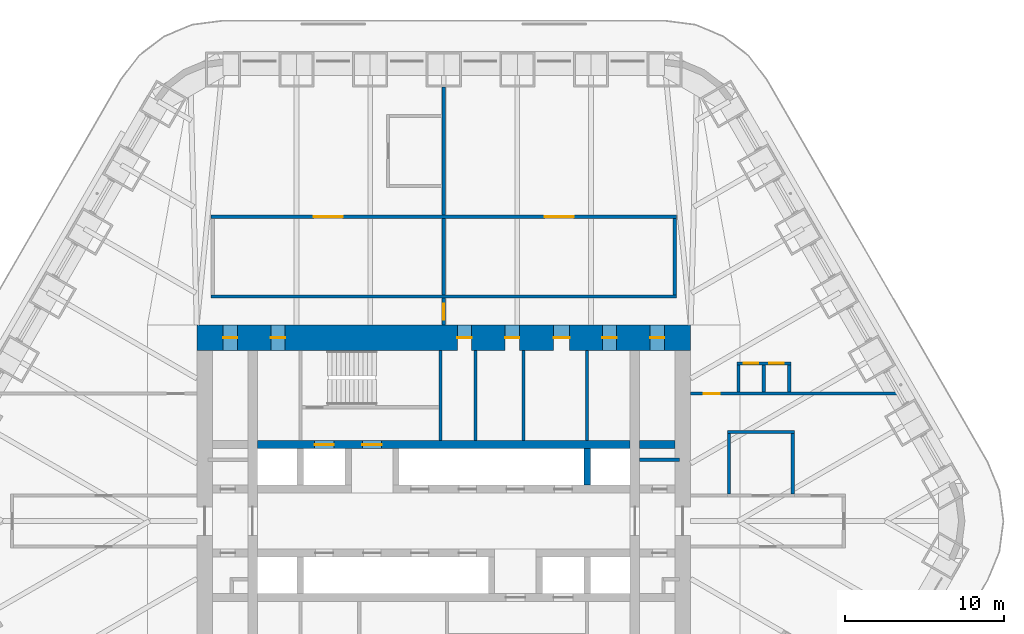
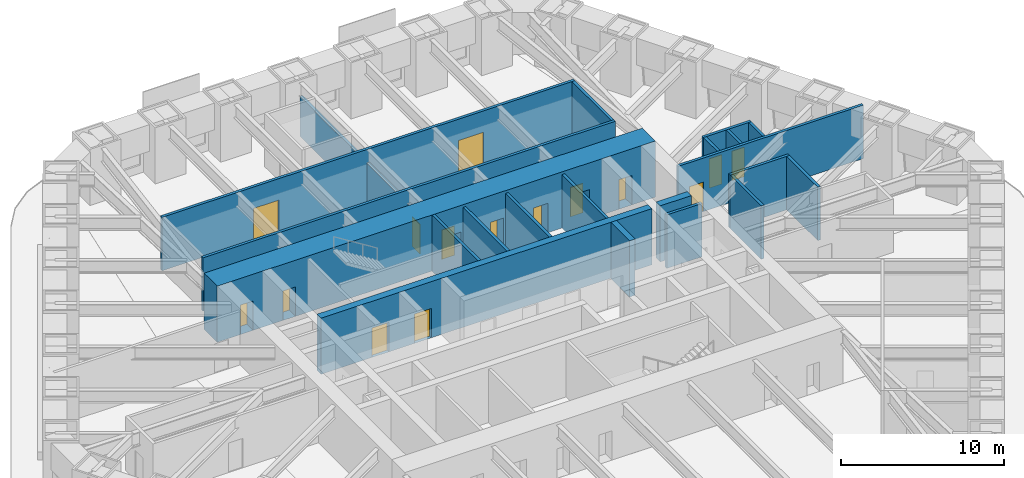
# One storey, part 17 of 20: 23 walls, 15 doors, 15 openings.
"""IFC4 building model written with IfcOpenShell, lengths in metres."""

from ifc_helpers import new_model, si_unit, direction, frame, frame_2d, origin, place, context, subcontext, project, spatial, rectangle, extrude, material, layer, layer_set, type_object, element, fill, save


model = new_model("IFC4")

# Units and contexts
model_context = context("Model", 3, precision=1e-05, world=origin(), true_north=direction((0.0, 1.0)))
body_context = subcontext(model_context, "Body", "Model", "MODEL_VIEW")
ifc_project = project(units=[si_unit("LENGTHUNIT", "METRE"), si_unit("AREAUNIT", "SQUARE_METRE"), si_unit("VOLUMEUNIT", "CUBIC_METRE"), si_unit("PLANEANGLEUNIT", "RADIAN"), si_unit("MASSUNIT", "GRAM", prefix="KILO")], contexts=[model_context])

# Site, building, storey
site_placement = place(None, origin())
site = spatial("IfcSite", under=ifc_project, at=site_placement, CompositionType="ELEMENT")
building_placement = place(site_placement, origin())
building = spatial("IfcBuilding", under=site, at=building_placement, Name="Tarfa Lantern Tower", CompositionType="ELEMENT")
storey_placement = place(building_placement, frame((0.0, 0.0, 215.5)))
storey = spatial("IfcBuildingStorey", under=building, at=storey_placement, Name="L48", CompositionType="ELEMENT", Elevation=215.5)

# Walls
ifc_material_1 = material(Name="Concrete blockwork", Category="masonry")
ifc_layer_1 = layer(ifc_material_1, 0.199951171875)
ifc_layer_set_1 = layer_set([ifc_layer_1], Name="IW1 BLOCKWORK PARTITION 200 EI 120")
wall_type_1 = type_object("IfcWallType", Name="IW1 BLOCKWORK PARTITION 200 EI 120", PredefinedType="PARTITIONING", material=ifc_layer_set_1)
for number, where, z_axis, x_axis, name in (
    (1, (9.0, 5.050048828125, 0.0), (0.0, 0.0, 1.0), (0.0, 1.0, 0.0), "Core partition"),
    (2, (2.0, 5.050048828125, 0.0), (0.0, 0.0, 1.0), (0.0, 1.0, 0.0), "Core partition"),
    (3, (5.0, 5.050048828125, 0.0), (0.0, 0.0, 1.0), (0.0, 1.0, 0.0), "Core partition"),
):
    element("IfcWall", number, at=place(storey_placement, frame(where, z_axis=z_axis, x_axis=x_axis)), inside=storey, type_object=wall_type_1, Name=name, PredefinedType="PARTITIONING", context=body_context, shape_type="SweptSolid", body=[
        extrude(rectangle(XDim=5.64990234375, YDim=0.199951171875, at=frame_2d((2.824951171875, 0.0))), origin(), (0.0, 0.0, 1.0), 4.0),
    ])
wall_1_placement = place(storey_placement, frame((12.300048828125, 3.85009765625, 0.0), z_axis=(0.0, 0.0, 1.0), x_axis=(1.0, 0.0, 0.0)))
element("IfcWall", 4, at=wall_1_placement, inside=storey, type_object=wall_type_1, Name="Core partition", PredefinedType="PARTITIONING", context=body_context, shape_type="SweptSolid", body=[
    extrude(rectangle(XDim=2.5, YDim=0.199951171875, at=frame_2d((1.25, 0.0))), origin(), (0.0, 0.0, 1.0), 4.0),
])
ifc_material_2 = material(Name="Gypsum board on steel studs", Category="steel")
ifc_layer_2 = layer(ifc_material_2, 0.2099609375)
ifc_layer_set_2 = layer_set([ifc_layer_2], Name="IW2 ACOUSTIC PARTITION 200")
wall_type_2 = type_object("IfcWallType", Name="IW2 ACOUSTIC PARTITION 200", PredefinedType="PARTITIONING", material=ifc_layer_set_2)
wall_2_placement = place(storey_placement, frame((-14.60009765625, 14.10009765625, 0.0), z_axis=(0.0, 0.0, 1.0), x_axis=(1.0, 0.0, 0.0)))
element("IfcWall", 5, at=wall_2_placement, inside=storey, type_object=wall_type_2, Name="Partition", PredefinedType="PARTITIONING", context=body_context, shape_type="SweptSolid", body=[
    extrude(rectangle(XDim=29.2001953125, YDim=0.199951171875, at=frame_2d((14.60009765625, 0.0))), origin(), (0.0, 0.0, 1.0), 4.0),
])

# Wall, openings, doors
wall_3_placement = place(storey_placement, frame((-14.60009765625, 19.10009765625, 0.0), z_axis=(0.0, 0.0, 1.0), x_axis=(1.0, 0.0, 0.0)))
wall_3 = element("IfcWall", 6, at=wall_3_placement, inside=storey, type_object=wall_type_2, Name="Partition", PredefinedType="PARTITIONING", context=body_context, shape_type="SweptSolid", body=[
    extrude(rectangle(XDim=29.2001953125, YDim=0.199951171875, at=frame_2d((14.60009765625, 0.0))), origin(), (0.0, 0.0, 1.0), 4.0),
])
opening_1_placement = place(wall_3_placement, frame((6.449951171875, 0.0, 0.0)))
opening_1 = element("IfcOpeningElement", 7, at=opening_1_placement, cuts=wall_3, Name="Opening D33", PredefinedType="OPENING", context=body_context, shape_type="SweptSolid", body=[
    extrude(rectangle(XDim=1.800048828125, YDim=2.39990234375, at=frame_2d((0.89990234375, 1.199951171875))), frame((0.0, 0.10986328125, 0.0), z_axis=(0.0, -1.0, 0.0), x_axis=(1.0, 0.0, 0.0)), (0.0, 0.0, 1.0), 0.219970703125),
])
opening_2_placement = place(wall_3_placement, frame((20.949951171875, 0.0, 0.0)))
opening_2 = element("IfcOpeningElement", 8, at=opening_2_placement, cuts=wall_3, Name="Opening D34", PredefinedType="OPENING", context=body_context, shape_type="SweptSolid", body=[
    extrude(rectangle(XDim=1.800048828125, YDim=2.39990234375, at=frame_2d((0.89990234375, 1.199951171875))), frame((0.0, 0.10986328125, 0.0), z_axis=(0.0, -1.0, 0.0), x_axis=(1.0, 0.0, 0.0)), (0.0, 0.0, 1.0), 0.219970703125),
])
ifc_material_3 = material(Name="Timber door", Category="wood")
door_type_1 = type_object("IfcDoorType", Name="DR2 ROOM DOOR 1800x2400", OperationType="DOUBLE_DOOR_SINGLE_SWING", PredefinedType="DOOR", material=ifc_material_3)
door_1_placement = place(opening_1_placement, frame((1.800048828125, 0.0, 0.0), z_axis=(0.0, 0.0, 1.0), x_axis=(-1.0, 0.0, 0.0)))
door_1 = element("IfcDoor", 9, at=door_1_placement, inside=storey, type_object=door_type_1, Name="Client briefing room door", OperationType="DOUBLE_DOOR_SINGLE_SWING", OverallHeight=2.39990234375, OverallWidth=1.800048828125, PredefinedType="DOOR", context=body_context, shape_type="SweptSolid", body=[
    extrude(rectangle(XDim=1.800048828125, YDim=2.39990234375, at=frame_2d((0.89990234375, 1.199951171875))), frame((0.0, 0.02490234375, 0.0), z_axis=(0.0, -1.0, 0.0), x_axis=(1.0, 0.0, 0.0)), (0.0, 0.0, 1.0), 0.050048828125),
])
fill(opening_1, door_1)
door_2_placement = place(opening_2_placement, frame((1.800048828125, 0.0, 0.0), z_axis=(0.0, 0.0, 1.0), x_axis=(-1.0, 0.0, 0.0)))
door_2 = element("IfcDoor", 10, at=door_2_placement, inside=storey, type_object=door_type_1, Name="Client briefing room door", OperationType="DOUBLE_DOOR_SINGLE_SWING", OverallHeight=2.39990234375, OverallWidth=1.800048828125, PredefinedType="DOOR", context=body_context, shape_type="SweptSolid", body=[
    extrude(rectangle(XDim=1.800048828125, YDim=2.39990234375, at=frame_2d((0.89990234375, 1.199951171875))), frame((0.0, 0.02490234375, 0.0), z_axis=(0.0, -1.0, 0.0), x_axis=(1.0, 0.0, 0.0)), (0.0, 0.0, 1.0), 0.050048828125),
])
fill(opening_2, door_2)

# Walls
wall_4_placement = place(storey_placement, frame((0.0, 14.199951171875, 0.0), z_axis=(0.0, 0.0, 1.0), x_axis=(0.0, 1.0, 0.0)))
element("IfcWall", 11, at=wall_4_placement, inside=storey, type_object=wall_type_2, Name="Partition", PredefinedType="PARTITIONING", context=body_context, shape_type="SweptSolid", body=[
    extrude(rectangle(XDim=4.800048828125, YDim=0.199951171875, at=frame_2d((2.39990234375, 0.0))), origin(), (0.0, 0.0, 1.0), 2.991943359375),
])
wall_5_placement = place(storey_placement, frame((14.5, 14.199951171875, 0.0), z_axis=(0.0, 0.0, 1.0), x_axis=(0.0, 1.0, 0.0)))
element("IfcWall", 12, at=wall_5_placement, inside=storey, type_object=wall_type_2, Name="Partition", PredefinedType="PARTITIONING", context=body_context, shape_type="SweptSolid", body=[
    extrude(rectangle(XDim=4.800048828125, YDim=0.199951171875, at=frame_2d((2.39990234375, 0.0))), origin(), (0.0, 0.0, 1.0), 4.0),
])
wall_6_placement = place(storey_placement, frame((17.800048828125, 5.60009765625, 0.0), z_axis=(0.0, 0.0, 1.0), x_axis=(1.0, 0.0, 0.0)))
element("IfcWall", 13, at=wall_6_placement, inside=storey, type_object=wall_type_2, Name="Partition", PredefinedType="PARTITIONING", context=body_context, shape_type="SweptSolid", body=[
    extrude(rectangle(XDim=4.199951171875, YDim=0.199951171875, at=frame_2d((2.10009765625, 0.0))), origin(), (0.0, 0.0, 1.0), 4.0),
])
for number, where, z_axis, x_axis, name in (
    (14, (17.89990234375, 1.699951171875, 0.0), (0.0, 0.0, 1.0), (0.0, 1.0, 0.0), "Partition"),
    (15, (21.89990234375, 1.699951171875, 0.0), (0.0, 0.0, 1.0), (0.0, 1.0, 0.0), "Partition"),
):
    element("IfcWall", number, at=place(storey_placement, frame(where, z_axis=z_axis, x_axis=x_axis)), inside=storey, type_object=wall_type_2, Name=name, PredefinedType="PARTITIONING", context=body_context, shape_type="SweptSolid", body=[
        extrude(rectangle(XDim=3.800048828125, YDim=0.199951171875, at=frame_2d((1.89990234375, 0.0))), origin(), (0.0, 0.0, 1.0), 4.0),
    ])

# Wall, opening, door
wall_7_placement = place(storey_placement, frame((0.0, 12.300048828125, 0.0), z_axis=(0.0, 0.0, 1.0), x_axis=(0.0, 1.0, 0.0)))
wall_7 = element("IfcWall", 16, at=wall_7_placement, inside=storey, type_object=wall_type_2, Name="Partition", PredefinedType="PARTITIONING", context=body_context, shape_type="SweptSolid", body=[
    extrude(rectangle(XDim=1.699951171875, YDim=0.199951171875, at=frame_2d((0.85009765625, 0.0))), origin(), (0.0, 0.0, 1.0), 2.991943359375),
])
opening_3_placement = place(wall_7_placement, frame((0.35009765625, 0.0, 0.0)))
opening_3 = element("IfcOpeningElement", 17, at=opening_3_placement, cuts=wall_7, Name="Opening D45", PredefinedType="OPENING", context=body_context, shape_type="SweptSolid", body=[
    extrude(rectangle(XDim=1.0, YDim=2.199951171875, at=frame_2d((0.5, 1.10009765625))), frame((0.0, 0.10986328125, 0.0), z_axis=(0.0, -1.0, 0.0), x_axis=(1.0, 0.0, 0.0)), (0.0, 0.0, 1.0), 0.219970703125),
])
door_type_2 = type_object("IfcDoorType", Name="DR1 ROOM DOOR 1000x2200", OperationType="SINGLE_SWING_LEFT", PredefinedType="DOOR", material=ifc_material_3)
door_3_placement = place(opening_3_placement, origin())
door_3 = element("IfcDoor", 18, at=door_3_placement, inside=storey, type_object=door_type_2, Name="Zone door", OperationType="SINGLE_SWING_LEFT", OverallHeight=2.199951171875, OverallWidth=1.0, PredefinedType="DOOR", context=body_context, shape_type="SweptSolid", body=[
    extrude(rectangle(XDim=1.0, YDim=2.199951171875, at=frame_2d((0.5, 1.10009765625))), frame((0.0, 0.02490234375, 0.0), z_axis=(0.0, -1.0, 0.0), x_axis=(1.0, 0.0, 0.0)), (0.0, 0.0, 1.0), 0.050048828125),
])
fill(opening_3, door_3)

# Wall
wall_8_placement = place(storey_placement, frame((0.0, 19.199951171875, 0.0), z_axis=(0.0, 0.0, 1.0), x_axis=(0.0, 1.0, 0.0)))
element("IfcWall", 19, at=wall_8_placement, inside=storey, type_object=wall_type_2, Name="Partition", PredefinedType="PARTITIONING", context=body_context, shape_type="SweptSolid", body=[
    extrude(rectangle(XDim=8.050048828125, YDim=0.199951171875, at=frame_2d((4.02490234375, 0.0))), origin(), (0.0, 0.0, 1.0), 2.991943359375),
])

# Wall, opening, door
wall_9_placement = place(storey_placement, frame((15.5, 8.0, 0.0), z_axis=(0.0, 0.0, 1.0), x_axis=(1.0, 0.0, 0.0)))
wall_9 = element("IfcWall", 20, at=wall_9_placement, inside=storey, type_object=wall_type_2, Name="Partition", PredefinedType="PARTITIONING", context=body_context, shape_type="SweptSolid", body=[
    extrude(rectangle(XDim=13.11328125, YDim=0.199951171875, at=frame_2d((6.556640625, 0.0))), origin(), (0.0, 0.0, 1.0), 4.0),
])
opening_4_placement = place(wall_9_placement, frame((0.811279296875, 0.0, 0.0)))
opening_4 = element("IfcOpeningElement", 21, at=opening_4_placement, cuts=wall_9, Name="Opening D44", PredefinedType="OPENING", context=body_context, shape_type="SweptSolid", body=[
    extrude(rectangle(XDim=1.0, YDim=2.199951171875, at=frame_2d((0.5, 1.10009765625))), frame((0.0, 0.10986328125, 0.0), z_axis=(0.0, -1.0, 0.0), x_axis=(1.0, 0.0, 0.0)), (0.0, 0.0, 1.0), 0.219970703125),
])
door_4_placement = place(opening_4_placement, origin())
door_4 = element("IfcDoor", 22, at=door_4_placement, inside=storey, type_object=door_type_2, Name="Zone door", OperationType="SINGLE_SWING_RIGHT", OverallHeight=2.199951171875, OverallWidth=1.0, PredefinedType="DOOR", context=body_context, shape_type="SweptSolid", body=[
    extrude(rectangle(XDim=1.0, YDim=2.199951171875, at=frame_2d((0.5, 1.10009765625))), frame((0.0, 0.02490234375, 0.0), z_axis=(0.0, -1.0, 0.0), x_axis=(1.0, 0.0, 0.0)), (0.0, 0.0, 1.0), 0.050048828125),
])
fill(opening_4, door_4)

# Wall, openings, doors
wall_10_placement = place(storey_placement, frame((18.3896484375, 9.89990234375, 0.0), z_axis=(0.0, 0.0, 1.0), x_axis=(1.0, 0.0, 0.0)))
wall_10 = element("IfcWall", 23, at=wall_10_placement, inside=storey, type_object=wall_type_2, Name="Partition", PredefinedType="PARTITIONING", context=body_context, shape_type="SweptSolid", body=[
    extrude(rectangle(XDim=3.400146484375, YDim=0.199951171875, at=frame_2d((1.7001953125, 0.0))), origin(), (0.0, 0.0, 1.0), 4.0),
])
opening_5_placement = place(wall_10_placement, frame((0.449951171875, 0.0, 0.0)))
opening_5 = element("IfcOpeningElement", 24, at=opening_5_placement, cuts=wall_10, Name="Opening D36", PredefinedType="OPENING", context=body_context, shape_type="SweptSolid", body=[
    extrude(rectangle(XDim=0.89990234375, YDim=2.199951171875, at=frame_2d((0.449951171875, 1.10009765625))), frame((0.0, 0.10986328125, 0.0), z_axis=(0.0, -1.0, 0.0), x_axis=(1.0, 0.0, 0.0)), (0.0, 0.0, 1.0), 0.219970703125),
])
opening_6_placement = place(wall_10_placement, frame((2.050048828125, 0.0, 0.0)))
opening_6 = element("IfcOpeningElement", 25, at=opening_6_placement, cuts=wall_10, Name="Opening D37", PredefinedType="OPENING", context=body_context, shape_type="SweptSolid", body=[
    extrude(rectangle(XDim=0.89990234375, YDim=2.199951171875, at=frame_2d((0.449951171875, 1.10009765625))), frame((0.0, 0.10986328125, 0.0), z_axis=(0.0, -1.0, 0.0), x_axis=(1.0, 0.0, 0.0)), (0.0, 0.0, 1.0), 0.219970703125),
])
door_type_3 = type_object("IfcDoorType", Name="DR3 ROOM DOOR 900x2200", OperationType="SINGLE_SWING_LEFT", PredefinedType="DOOR", material=ifc_material_3)
door_5_placement = place(opening_5_placement, frame((0.89990234375, 0.0, 0.0), z_axis=(0.0, 0.0, 1.0), x_axis=(-1.0, 0.0, 0.0)))
door_5 = element("IfcDoor", 26, at=door_5_placement, inside=storey, type_object=door_type_3, Name="Phone booth door", OperationType="SINGLE_SWING_LEFT", OverallHeight=2.199951171875, OverallWidth=0.89990234375, PredefinedType="DOOR", context=body_context, shape_type="SweptSolid", body=[
    extrude(rectangle(XDim=0.89990234375, YDim=2.199951171875, at=frame_2d((0.449951171875, 1.10009765625))), frame((0.0, 0.02490234375, 0.0), z_axis=(0.0, -1.0, 0.0), x_axis=(1.0, 0.0, 0.0)), (0.0, 0.0, 1.0), 0.050048828125),
])
fill(opening_5, door_5)
door_6_placement = place(opening_6_placement, frame((0.89990234375, 0.0, 0.0), z_axis=(0.0, 0.0, 1.0), x_axis=(-1.0, 0.0, 0.0)))
door_6 = element("IfcDoor", 27, at=door_6_placement, inside=storey, type_object=door_type_3, Name="Phone booth door", OperationType="SINGLE_SWING_RIGHT", OverallHeight=2.199951171875, OverallWidth=0.89990234375, PredefinedType="DOOR", context=body_context, shape_type="SweptSolid", body=[
    extrude(rectangle(XDim=0.89990234375, YDim=2.199951171875, at=frame_2d((0.449951171875, 1.10009765625))), frame((0.0, 0.02490234375, 0.0), z_axis=(0.0, -1.0, 0.0), x_axis=(1.0, 0.0, 0.0)), (0.0, 0.0, 1.0), 0.050048828125),
])
fill(opening_6, door_6)

# Walls
for number, where, z_axis, x_axis, name in (
    (28, (18.48974609375, 8.10009765625, 0.0), (0.0, 0.0, 1.0), (0.0, 1.0, 0.0), "Partition"),
    (29, (20.089599609375, 8.10009765625, 0.0), (0.0, 0.0, 1.0), (0.0, 1.0, 0.0), "Partition"),
    (30, (21.689697265625, 8.10009765625, 0.0), (0.0, 0.0, 1.0), (0.0, 1.0, 0.0), "Partition"),
):
    element("IfcWall", number, at=place(storey_placement, frame(where, z_axis=z_axis, x_axis=x_axis)), inside=storey, type_object=wall_type_2, Name=name, PredefinedType="PARTITIONING", context=body_context, shape_type="SweptSolid", body=[
        extrude(rectangle(XDim=1.699951171875, YDim=0.199951171875, at=frame_2d((0.85009765625, 0.0))), origin(), (0.0, 0.0, 1.0), 4.0),
    ])
ifc_material_4 = material(Name="Concrete C80/95", Category="concrete")
ifc_layer_3 = layer(ifc_material_4, 0.199951171875)
ifc_layer_set_3 = layer_set([ifc_layer_3], Name="SW12 CORE WALL 200")
wall_type_3 = type_object("IfcWallType", Name="SW12 CORE WALL 200", PredefinedType="SHEAR", material=ifc_layer_set_3)
wall_11_placement = place(storey_placement, frame((-0.199951171875, 5.050048828125, 0.0), z_axis=(0.0, 0.0, 1.0), x_axis=(0.0, 1.0, 0.0)))
element("IfcWall", 31, at=wall_11_placement, inside=storey, type_object=wall_type_3, Name="Core wall stair shaft N", PredefinedType="SHEAR", context=body_context, shape_type="SweptSolid", body=[
    extrude(rectangle(XDim=5.64990234375, YDim=0.199951171875, at=frame_2d((2.824951171875, 0.0))), origin(), (0.0, 0.0, 1.0), 4.199951171875),
])

# Wall, openings, doors
ifc_layer_4 = layer(ifc_material_4, 0.5)
ifc_layer_set_4 = layer_set([ifc_layer_4], Name="SW5 CORE WALL 500")
wall_type_4 = type_object("IfcWallType", Name="SW5 CORE WALL 500", PredefinedType="SHEAR", material=ifc_layer_set_4)
wall_12_placement = place(storey_placement, frame((-11.699951171875, 4.800048828125, 0.0), z_axis=(0.0, 0.0, 1.0), x_axis=(1.0, 0.0, 0.0)))
wall_12 = element("IfcWall", 32, at=wall_12_placement, inside=storey, type_object=wall_type_4, Name="Core wall rear N", PredefinedType="SHEAR", context=body_context, shape_type="SweptSolid", body=[
    extrude(rectangle(XDim=23.39990234375, YDim=0.5, at=frame_2d((11.699951171875, 0.0))), origin(), (0.0, 0.0, 1.0), 4.199951171875),
])
opening_7_placement = place(wall_12_placement, frame((6.60009765625, 0.0, 0.0)))
opening_7 = element("IfcOpeningElement", 33, at=opening_7_placement, cuts=wall_12, Name="Opening D09", PredefinedType="OPENING", context=body_context, shape_type="SweptSolid", body=[
    extrude(rectangle(XDim=1.199951171875, YDim=2.199951171875, at=frame_2d((0.60009765625, 1.10009765625))), frame((0.0, 0.260009765625, 0.0), z_axis=(0.0, -1.0, 0.0), x_axis=(1.0, 0.0, 0.0)), (0.0, 0.0, 1.0), 0.52001953125),
])
opening_8_placement = place(wall_12_placement, frame((3.60009765625, 0.0, 0.0)))
opening_8 = element("IfcOpeningElement", 34, at=opening_8_placement, cuts=wall_12, Name="Opening LD01", PredefinedType="OPENING", context=body_context, shape_type="SweptSolid", body=[
    extrude(rectangle(XDim=1.199951171875, YDim=2.199951171875, at=frame_2d((0.60009765625, 1.10009765625))), frame((0.0, 0.260009765625, 0.0), z_axis=(0.0, -1.0, 0.0), x_axis=(1.0, 0.0, 0.0)), (0.0, 0.0, 1.0), 0.52001953125),
])
ifc_material_5 = material(Name="Steel fire door", Category="steel")
door_type_4 = type_object("IfcDoorType", Name="DF1 FIREFIGHTING LOBBY DOOR 1200x2200", OperationType="SINGLE_SWING_LEFT", PredefinedType="DOOR", material=ifc_material_5)
door_7_placement = place(opening_7_placement, origin())
door_7 = element("IfcDoor", 35, at=door_7_placement, inside=storey, type_object=door_type_4, Name="Firefighting lobby door", OperationType="SINGLE_SWING_LEFT", OverallHeight=2.199951171875, OverallWidth=1.199951171875, PredefinedType="DOOR", context=body_context, shape_type="SweptSolid", body=[
    extrude(rectangle(XDim=1.199951171875, YDim=2.199951171875, at=frame_2d((0.60009765625, 1.10009765625))), frame((0.0, 0.02490234375, 0.0), z_axis=(0.0, -1.0, 0.0), x_axis=(1.0, 0.0, 0.0)), (0.0, 0.0, 1.0), 0.050048828125),
])
fill(opening_7, door_7)
ifc_material_6 = material(Name="Stainless steel lift door", Category="steel")
door_type_5 = type_object("IfcDoorType", Name="LD1 LIFT LANDING DOOR 1200x2200", OperationType="SLIDING_TO_LEFT", PredefinedType="DOOR", material=ifc_material_6)
door_8_placement = place(opening_8_placement, origin())
door_8 = element("IfcDoor", 36, at=door_8_placement, inside=storey, type_object=door_type_5, Name="Landing door FL1", OperationType="SLIDING_TO_LEFT", OverallHeight=2.199951171875, OverallWidth=1.199951171875, PredefinedType="DOOR", context=body_context, shape_type="SweptSolid", body=[
    extrude(rectangle(XDim=1.199951171875, YDim=2.199951171875, at=frame_2d((0.60009765625, 1.10009765625))), frame((0.0, 0.02490234375, 0.0), z_axis=(0.0, -1.0, 0.0), x_axis=(1.0, 0.0, 0.0)), (0.0, 0.0, 1.0), 0.050048828125),
])
fill(opening_8, door_8)

# Walls
wall_13_placement = place(storey_placement, frame((12.300048828125, 4.800048828125, 0.0), z_axis=(0.0, 0.0, 1.0), x_axis=(1.0, 0.0, 0.0)))
element("IfcWall", 37, at=wall_13_placement, inside=storey, type_object=wall_type_4, Name="Core wall rear N", PredefinedType="SHEAR", context=body_context, shape_type="SweptSolid", body=[
    extrude(rectangle(XDim=2.199951171875, YDim=0.5, at=frame_2d((1.10009765625, 0.0))), origin(), (0.0, 0.0, 1.0), 4.199951171875),
])
ifc_layer_5 = layer(ifc_material_4, 0.39990234375)
ifc_layer_set_5 = layer_set([ifc_layer_5], Name="SW6 CORE WALL 400")
wall_type_5 = type_object("IfcWallType", Name="SW6 CORE WALL 400", PredefinedType="SHEAR", material=ifc_layer_set_5)
wall_14_placement = place(storey_placement, frame((9.0, 2.25, 0.0), z_axis=(0.0, 0.0, 1.0), x_axis=(0.0, 1.0, 0.0)))
element("IfcWall", 38, at=wall_14_placement, inside=storey, type_object=wall_type_5, Name="Core wall divider N", PredefinedType="SHEAR", context=body_context, shape_type="SweptSolid", body=[
    extrude(rectangle(XDim=2.300048828125, YDim=0.39990234375, at=frame_2d((1.14990234375, 0.0))), origin(), (0.0, 0.0, 1.0), 4.199951171875),
])

# Wall, openings, doors
ifc_layer_6 = layer(ifc_material_4, 1.60009765625)
ifc_layer_set_6 = layer_set([ifc_layer_6], Name="SW7 CORE WALL 1600")
wall_type_6 = type_object("IfcWallType", Name="SW7 CORE WALL 1600", PredefinedType="SHEAR", material=ifc_layer_set_6)
wall_15_placement = place(storey_placement, frame((-15.5, 11.5, 0.0), z_axis=(0.0, 0.0, 1.0), x_axis=(1.0, 0.0, 0.0)))
wall_15 = element("IfcWall", 39, at=wall_15_placement, inside=storey, type_object=wall_type_6, Name="Core wall N", PredefinedType="SHEAR", context=body_context, shape_type="SweptSolid", body=[
    extrude(rectangle(XDim=31.0, YDim=1.60009765625, at=frame_2d((15.5, 0.0))), origin(), (0.0, 0.0, 1.0), 4.199951171875),
])
opening_9_placement = place(wall_15_placement, frame((16.35009765625, 0.0, 0.0)))
opening_9 = element("IfcOpeningElement", 40, at=opening_9_placement, cuts=wall_15, Name="Opening D17", PredefinedType="OPENING", context=body_context, shape_type="SweptSolid", body=[
    extrude(rectangle(XDim=0.89990234375, YDim=2.199951171875, at=frame_2d((0.449951171875, 1.10009765625))), frame((0.0, 0.81005859375, 0.0), z_axis=(0.0, -1.0, 0.0), x_axis=(1.0, 0.0, 0.0)), (0.0, 0.0, 1.0), 1.6201171875),
])
opening_10_placement = place(wall_15_placement, frame((19.35009765625, 0.0, 0.0)))
opening_10 = element("IfcOpeningElement", 41, at=opening_10_placement, cuts=wall_15, Name="Opening D19", PredefinedType="OPENING", context=body_context, shape_type="SweptSolid", body=[
    extrude(rectangle(XDim=0.89990234375, YDim=2.199951171875, at=frame_2d((0.449951171875, 1.10009765625))), frame((0.0, 0.81005859375, 0.0), z_axis=(0.0, -1.0, 0.0), x_axis=(1.0, 0.0, 0.0)), (0.0, 0.0, 1.0), 1.6201171875),
])
opening_11_placement = place(wall_15_placement, frame((22.39990234375, 0.0, 0.0)))
opening_11 = element("IfcOpeningElement", 42, at=opening_11_placement, cuts=wall_15, Name="Opening D21", PredefinedType="OPENING", context=body_context, shape_type="SweptSolid", body=[
    extrude(rectangle(XDim=1.0, YDim=2.199951171875, at=frame_2d((0.5, 1.10009765625))), frame((0.0, 0.81005859375, 0.0), z_axis=(0.0, -1.0, 0.0), x_axis=(1.0, 0.0, 0.0)), (0.0, 0.0, 1.0), 1.6201171875),
])
opening_12_placement = place(wall_15_placement, frame((1.64990234375, 0.0, 0.0)))
opening_12 = element("IfcOpeningElement", 43, at=opening_12_placement, cuts=wall_15, Name="Opening D07", PredefinedType="OPENING", context=body_context, shape_type="SweptSolid", body=[
    extrude(rectangle(XDim=0.89990234375, YDim=2.199951171875, at=frame_2d((0.449951171875, 1.10009765625))), frame((0.0, 0.81005859375, 0.0), z_axis=(0.0, -1.0, 0.0), x_axis=(1.0, 0.0, 0.0)), (0.0, 0.0, 1.0), 1.6201171875),
])
opening_13_placement = place(wall_15_placement, frame((4.64990234375, 0.0, 0.0)))
opening_13 = element("IfcOpeningElement", 44, at=opening_13_placement, cuts=wall_15, Name="Opening D05", PredefinedType="OPENING", context=body_context, shape_type="SweptSolid", body=[
    extrude(rectangle(XDim=0.89990234375, YDim=2.199951171875, at=frame_2d((0.449951171875, 1.10009765625))), frame((0.0, 0.81005859375, 0.0), z_axis=(0.0, -1.0, 0.0), x_axis=(1.0, 0.0, 0.0)), (0.0, 0.0, 1.0), 1.6201171875),
])
opening_14_placement = place(wall_15_placement, frame((25.449951171875, 0.0, 0.0)))
opening_14 = element("IfcOpeningElement", 45, at=opening_14_placement, cuts=wall_15, Name="Opening D03", PredefinedType="OPENING", context=body_context, shape_type="SweptSolid", body=[
    extrude(rectangle(XDim=0.89990234375, YDim=2.199951171875, at=frame_2d((0.449951171875, 1.10009765625))), frame((0.0, 0.81005859375, 0.0), z_axis=(0.0, -1.0, 0.0), x_axis=(1.0, 0.0, 0.0)), (0.0, 0.0, 1.0), 1.6201171875),
])
opening_15_placement = place(wall_15_placement, frame((28.449951171875, 0.0, 0.0)))
opening_15 = element("IfcOpeningElement", 46, at=opening_15_placement, cuts=wall_15, Name="Opening D01", PredefinedType="OPENING", context=body_context, shape_type="SweptSolid", body=[
    extrude(rectangle(XDim=0.89990234375, YDim=2.199951171875, at=frame_2d((0.449951171875, 1.10009765625))), frame((0.0, 0.81005859375, 0.0), z_axis=(0.0, -1.0, 0.0), x_axis=(1.0, 0.0, 0.0)), (0.0, 0.0, 1.0), 1.6201171875),
])
door_type_6 = type_object("IfcDoorType", Name="DF3 CORE ROOM DOOR 900x2200", OperationType="SINGLE_SWING_LEFT", PredefinedType="DOOR", material=ifc_material_5)
door_9_placement = place(opening_9_placement, frame((0.89990234375, 0.0, 0.0), z_axis=(0.0, 0.0, 1.0), x_axis=(-1.0, 0.0, 0.0)))
door_9 = element("IfcDoor", 47, at=door_9_placement, inside=storey, type_object=door_type_6, Name="Core door", OperationType="SINGLE_SWING_RIGHT", OverallHeight=2.199951171875, OverallWidth=0.89990234375, PredefinedType="DOOR", context=body_context, shape_type="SweptSolid", body=[
    extrude(rectangle(XDim=0.89990234375, YDim=2.199951171875, at=frame_2d((0.449951171875, 1.10009765625))), frame((0.0, 0.02490234375, 0.0), z_axis=(0.0, -1.0, 0.0), x_axis=(1.0, 0.0, 0.0)), (0.0, 0.0, 1.0), 0.050048828125),
])
fill(opening_9, door_9)
door_10_placement = place(opening_10_placement, frame((0.89990234375, 0.0, 0.0), z_axis=(0.0, 0.0, 1.0), x_axis=(-1.0, 0.0, 0.0)))
door_10 = element("IfcDoor", 48, at=door_10_placement, inside=storey, type_object=door_type_6, Name="Core door", OperationType="SINGLE_SWING_RIGHT", OverallHeight=2.199951171875, OverallWidth=0.89990234375, PredefinedType="DOOR", context=body_context, shape_type="SweptSolid", body=[
    extrude(rectangle(XDim=0.89990234375, YDim=2.199951171875, at=frame_2d((0.449951171875, 1.10009765625))), frame((0.0, 0.02490234375, 0.0), z_axis=(0.0, -1.0, 0.0), x_axis=(1.0, 0.0, 0.0)), (0.0, 0.0, 1.0), 0.050048828125),
])
fill(opening_10, door_10)
door_type_7 = type_object("IfcDoorType", Name="DF4 CORE ROOM DOOR 1000x2200", OperationType="SINGLE_SWING_LEFT", PredefinedType="DOOR", material=ifc_material_5)
door_11_placement = place(opening_11_placement, frame((1.0, 0.0, 0.0), z_axis=(0.0, 0.0, 1.0), x_axis=(-1.0, 0.0, 0.0)))
door_11 = element("IfcDoor", 49, at=door_11_placement, inside=storey, type_object=door_type_7, Name="Core door", OperationType="SINGLE_SWING_RIGHT", OverallHeight=2.199951171875, OverallWidth=1.0, PredefinedType="DOOR", context=body_context, shape_type="SweptSolid", body=[
    extrude(rectangle(XDim=1.0, YDim=2.199951171875, at=frame_2d((0.5, 1.10009765625))), frame((0.0, 0.02490234375, 0.0), z_axis=(0.0, -1.0, 0.0), x_axis=(1.0, 0.0, 0.0)), (0.0, 0.0, 1.0), 0.050048828125),
])
fill(opening_11, door_11)
door_type_8 = type_object("IfcDoorType", Name="DF5 RISER DOOR 900x2200", OperationType="SINGLE_SWING_LEFT", PredefinedType="DOOR", material=ifc_material_5)
door_12_placement = place(opening_12_placement, frame((0.89990234375, 0.0, 0.0), z_axis=(0.0, 0.0, 1.0), x_axis=(-1.0, 0.0, 0.0)))
door_12 = element("IfcDoor", 50, at=door_12_placement, inside=storey, type_object=door_type_8, Name="Riser door", OperationType="SINGLE_SWING_LEFT", OverallHeight=2.199951171875, OverallWidth=0.89990234375, PredefinedType="DOOR", context=body_context, shape_type="SweptSolid", body=[
    extrude(rectangle(XDim=0.89990234375, YDim=2.199951171875, at=frame_2d((0.449951171875, 1.10009765625))), frame((0.0, 0.02490234375, 0.0), z_axis=(0.0, -1.0, 0.0), x_axis=(1.0, 0.0, 0.0)), (0.0, 0.0, 1.0), 0.050048828125),
])
fill(opening_12, door_12)
door_13_placement = place(opening_13_placement, frame((0.89990234375, 0.0, 0.0), z_axis=(0.0, 0.0, 1.0), x_axis=(-1.0, 0.0, 0.0)))
door_13 = element("IfcDoor", 51, at=door_13_placement, inside=storey, type_object=door_type_8, Name="Riser door", OperationType="SINGLE_SWING_LEFT", OverallHeight=2.199951171875, OverallWidth=0.89990234375, PredefinedType="DOOR", context=body_context, shape_type="SweptSolid", body=[
    extrude(rectangle(XDim=0.89990234375, YDim=2.199951171875, at=frame_2d((0.449951171875, 1.10009765625))), frame((0.0, 0.02490234375, 0.0), z_axis=(0.0, -1.0, 0.0), x_axis=(1.0, 0.0, 0.0)), (0.0, 0.0, 1.0), 0.050048828125),
])
fill(opening_13, door_13)
door_14_placement = place(opening_14_placement, frame((0.89990234375, 0.0, 0.0), z_axis=(0.0, 0.0, 1.0), x_axis=(-1.0, 0.0, 0.0)))
door_14 = element("IfcDoor", 52, at=door_14_placement, inside=storey, type_object=door_type_8, Name="Riser door", OperationType="SINGLE_SWING_RIGHT", OverallHeight=2.199951171875, OverallWidth=0.89990234375, PredefinedType="DOOR", context=body_context, shape_type="SweptSolid", body=[
    extrude(rectangle(XDim=0.89990234375, YDim=2.199951171875, at=frame_2d((0.449951171875, 1.10009765625))), frame((0.0, 0.02490234375, 0.0), z_axis=(0.0, -1.0, 0.0), x_axis=(1.0, 0.0, 0.0)), (0.0, 0.0, 1.0), 0.050048828125),
])
fill(opening_14, door_14)
door_15_placement = place(opening_15_placement, frame((0.89990234375, 0.0, 0.0), z_axis=(0.0, 0.0, 1.0), x_axis=(-1.0, 0.0, 0.0)))
door_15 = element("IfcDoor", 53, at=door_15_placement, inside=storey, type_object=door_type_8, Name="Riser door", OperationType="SINGLE_SWING_RIGHT", OverallHeight=2.199951171875, OverallWidth=0.89990234375, PredefinedType="DOOR", context=body_context, shape_type="SweptSolid", body=[
    extrude(rectangle(XDim=0.89990234375, YDim=2.199951171875, at=frame_2d((0.449951171875, 1.10009765625))), frame((0.0, 0.02490234375, 0.0), z_axis=(0.0, -1.0, 0.0), x_axis=(1.0, 0.0, 0.0)), (0.0, 0.0, 1.0), 0.050048828125),
])
fill(opening_15, door_15)

save(model, "model.ifc")
